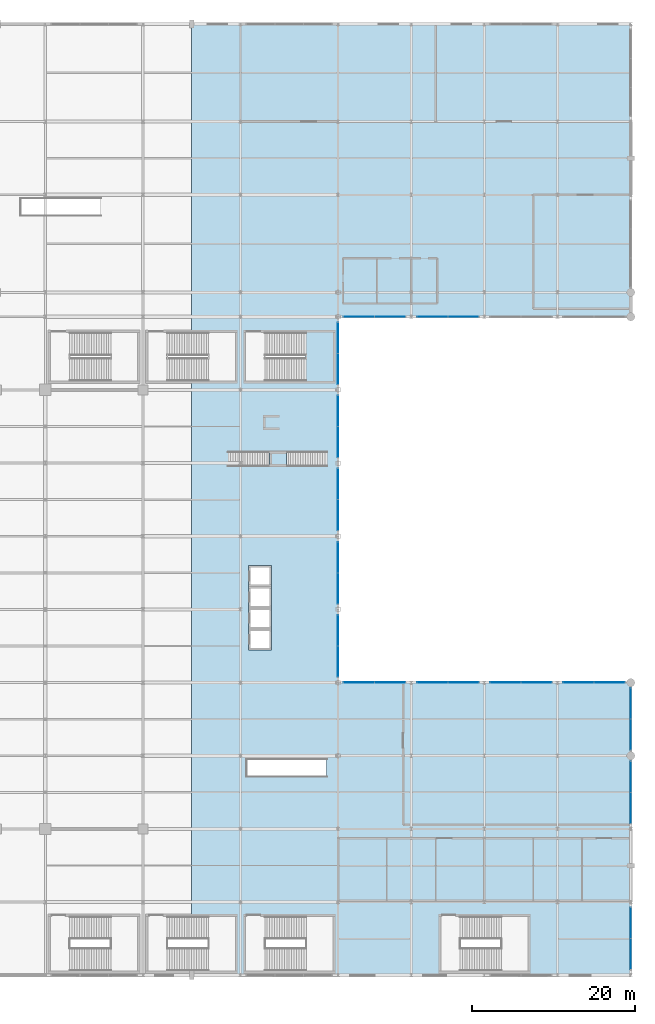
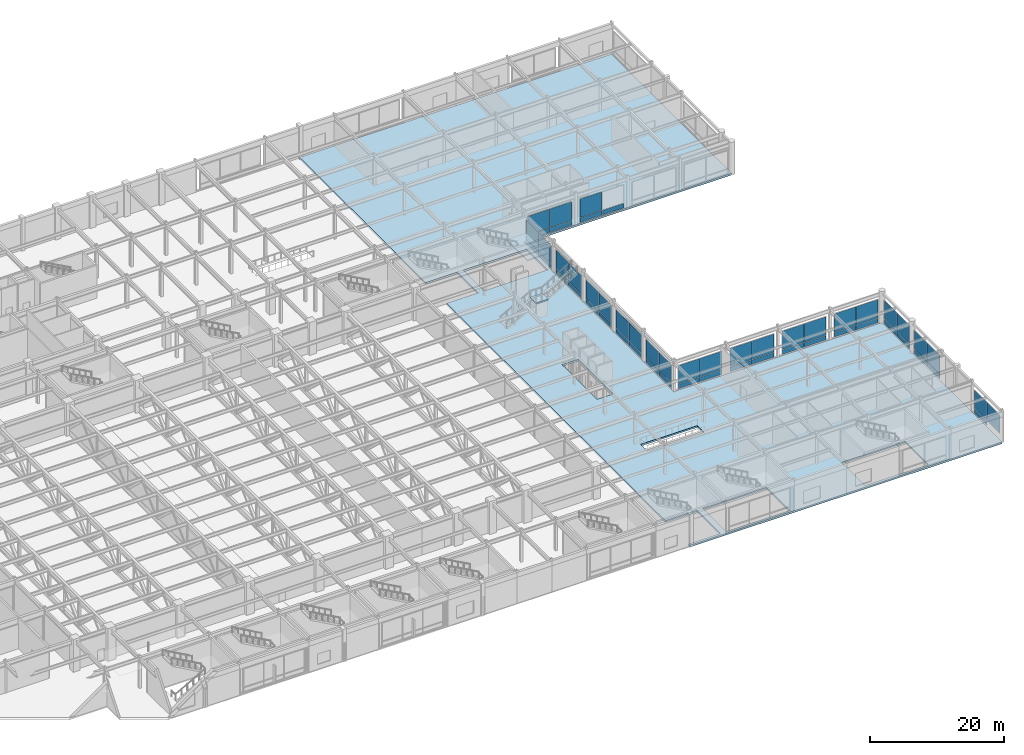
# One storey, part 86 of 108: 54 plates, 3 slabs, 16 elements without a shape of their own.
"""IFC4 building model written with IfcOpenShell, lengths in metres."""

from ifc_helpers import new_model, si_unit, direction, frame, origin, origin_2d, place, context, subcontext, project, spatial, polyline, rectangle, outline, extrude, material, layer, layer_set, type_object, element, aggregate, save


model = new_model("IFC4")

# Units and contexts
model_context = context("Model", 3, precision=1e-05, world=origin(), true_north=direction((0.0, 1.0)))
body_context = subcontext(model_context, "Body", "Model", "MODEL_VIEW")
ifc_project = project(units=[si_unit("LENGTHUNIT", "METRE"), si_unit("AREAUNIT", "SQUARE_METRE"), si_unit("VOLUMEUNIT", "CUBIC_METRE"), si_unit("PLANEANGLEUNIT", "RADIAN"), si_unit("MASSUNIT", "GRAM", prefix="KILO")], contexts=[model_context])

# Site, building, storey
site_placement = place(None, origin())
site = spatial("IfcSite", under=ifc_project, at=site_placement, CompositionType="ELEMENT")
building_placement = place(site_placement, origin())
building = spatial("IfcBuilding", under=site, at=building_placement, Name="Kaldorvane Square Convention Centre", CompositionType="ELEMENT")
storey_placement = place(building_placement, frame((0.0, 0.0, 12.0)))
storey = spatial("IfcBuildingStorey", under=building, at=storey_placement, Name="L02", CompositionType="ELEMENT", Elevation=12.0)

# Curtain wall, plates
ifc_material_1 = material(Name="Anodized Aluminum and Low-E Insulated Glazing", Category="aluminium")
curtain_wall_type_1 = type_object("IfcCurtainWallType", Name="CW-UNI-P60-09", PredefinedType="USERDEFINED", material=ifc_material_1)
curtain_wall_1_placement = place(storey_placement, origin())
curtain_wall_1 = element("IfcCurtainWall", 1, at=curtain_wall_1_placement, inside=storey, type_object=curtain_wall_type_1, Name="Curtain Wall CW-02 (L02)", ObjectType="UNITISED GLAZING", PredefinedType="USERDEFINED")
ifc_layer_1 = layer(ifc_material_1, 0.029998779296875)
ifc_layer_set_1 = layer_set([ifc_layer_1], Name="Anodized Aluminum and Low-E Insulated Glazing")
plate_type_1 = type_object("IfcPlateType", Name="CW-PNL-05", PredefinedType="CURTAIN_PANEL", material=ifc_layer_set_1)
plate_1_placement = place(storey_placement, frame((174.0, 2.59124755859375, 1.079986572265625), z_axis=(0.0, 0.0, 1.0), x_axis=(0.0, 1.0, 0.0)))
plate_1 = element("IfcPlate", 2, at=plate_1_placement, type_object=plate_type_1, Name="CW-02 panel 1.2", PredefinedType="CURTAIN_PANEL", context=body_context, shape_type="SweptSolid", body=[
    extrude(rectangle(XDim=3.75250244140625, YDim=0.029998779296875, at=origin_2d()), origin(), (0.0, 0.0, 1.0), 3.3899993896484375),
])
plate_2_placement = place(storey_placement, frame((174.0, 6.40875244140625, 0.2100067138671875), z_axis=(0.0, 0.0, 1.0), x_axis=(0.0, 1.0, 0.0)))
plate_2 = element("IfcPlate", 3, at=plate_2_placement, type_object=plate_type_1, Name="CW-02 panel 2.1", PredefinedType="CURTAIN_PANEL", context=body_context, shape_type="SweptSolid", body=[
    extrude(rectangle(XDim=3.75250244140625, YDim=0.029998779296875, at=origin_2d()), origin(), (0.0, 0.0, 1.0), 0.80999755859375),
])
plate_3_placement = place(storey_placement, frame((174.0, 6.40875244140625, 1.079986572265625), z_axis=(0.0, 0.0, 1.0), x_axis=(0.0, 1.0, 0.0)))
plate_3 = element("IfcPlate", 4, at=plate_3_placement, type_object=plate_type_1, Name="CW-02 panel 2.2", PredefinedType="CURTAIN_PANEL", context=body_context, shape_type="SweptSolid", body=[
    extrude(rectangle(XDim=3.75250244140625, YDim=0.029998779296875, at=origin_2d()), origin(), (0.0, 0.0, 1.0), 3.3899993896484375),
])
aggregate(curtain_wall_1, [plate_1, plate_2, plate_3])

curtain_wall_2_placement = place(storey_placement, origin())
curtain_wall_2 = element("IfcCurtainWall", 5, at=curtain_wall_2_placement, inside=storey, type_object=curtain_wall_type_1, Name="Curtain Wall CW-02 (L02)", ObjectType="UNITISED GLAZING", PredefinedType="USERDEFINED")
plate_4_placement = place(storey_placement, frame((174.0, 20.59124755859375, 0.2100067138671875), z_axis=(0.0, 0.0, 1.0), x_axis=(0.0, 1.0, 0.0)))
plate_4 = element("IfcPlate", 6, at=plate_4_placement, type_object=plate_type_1, Name="CW-02 panel 1.1", PredefinedType="CURTAIN_PANEL", context=body_context, shape_type="SweptSolid", body=[
    extrude(rectangle(XDim=3.75250244140625, YDim=0.029998779296875, at=origin_2d()), origin(), (0.0, 0.0, 1.0), 0.80999755859375),
])
plate_5_placement = place(storey_placement, frame((174.0, 20.59124755859375, 1.079986572265625), z_axis=(0.0, 0.0, 1.0), x_axis=(0.0, 1.0, 0.0)))
plate_5 = element("IfcPlate", 7, at=plate_5_placement, type_object=plate_type_1, Name="CW-02 panel 1.2", PredefinedType="CURTAIN_PANEL", context=body_context, shape_type="SweptSolid", body=[
    extrude(rectangle(XDim=3.75250244140625, YDim=0.029998779296875, at=origin_2d()), origin(), (0.0, 0.0, 1.0), 3.3899993896484375),
])
plate_6_placement = place(storey_placement, frame((174.0, 24.40875244140625, 0.2100067138671875), z_axis=(0.0, 0.0, 1.0), x_axis=(0.0, 1.0, 0.0)))
plate_6 = element("IfcPlate", 8, at=plate_6_placement, type_object=plate_type_1, Name="CW-02 panel 2.1", PredefinedType="CURTAIN_PANEL", context=body_context, shape_type="SweptSolid", body=[
    extrude(rectangle(XDim=3.75250244140625, YDim=0.029998779296875, at=origin_2d()), origin(), (0.0, 0.0, 1.0), 0.80999755859375),
])
plate_7_placement = place(storey_placement, frame((174.0, 24.40875244140625, 1.079986572265625), z_axis=(0.0, 0.0, 1.0), x_axis=(0.0, 1.0, 0.0)))
plate_7 = element("IfcPlate", 9, at=plate_7_placement, type_object=plate_type_1, Name="CW-02 panel 2.2", PredefinedType="CURTAIN_PANEL", context=body_context, shape_type="SweptSolid", body=[
    extrude(rectangle(XDim=3.75250244140625, YDim=0.029998779296875, at=origin_2d()), origin(), (0.0, 0.0, 1.0), 3.3899993896484375),
])
aggregate(curtain_wall_2, [plate_4, plate_5, plate_6, plate_7])

curtain_wall_3_placement = place(storey_placement, origin())
curtain_wall_3 = element("IfcCurtainWall", 10, at=curtain_wall_3_placement, inside=storey, type_object=curtain_wall_type_1, Name="Curtain Wall CW-02 (L02)", ObjectType="UNITISED GLAZING", PredefinedType="USERDEFINED")
plate_8_placement = place(storey_placement, frame((174.0, 29.59124755859375, 0.2100067138671875), z_axis=(0.0, 0.0, 1.0), x_axis=(0.0, 1.0, 0.0)))
plate_8 = element("IfcPlate", 11, at=plate_8_placement, type_object=plate_type_1, Name="CW-02 panel 1.1", PredefinedType="CURTAIN_PANEL", context=body_context, shape_type="SweptSolid", body=[
    extrude(rectangle(XDim=3.75250244140625, YDim=0.029998779296875, at=origin_2d()), origin(), (0.0, 0.0, 1.0), 0.80999755859375),
])
plate_9_placement = place(storey_placement, frame((174.0, 29.59124755859375, 1.079986572265625), z_axis=(0.0, 0.0, 1.0), x_axis=(0.0, 1.0, 0.0)))
plate_9 = element("IfcPlate", 12, at=plate_9_placement, type_object=plate_type_1, Name="CW-02 panel 1.2", PredefinedType="CURTAIN_PANEL", context=body_context, shape_type="SweptSolid", body=[
    extrude(rectangle(XDim=3.75250244140625, YDim=0.029998779296875, at=origin_2d()), origin(), (0.0, 0.0, 1.0), 3.3899993896484375),
])
plate_10_placement = place(storey_placement, frame((174.0, 33.40875244140625, 0.2100067138671875), z_axis=(0.0, 0.0, 1.0), x_axis=(0.0, 1.0, 0.0)))
plate_10 = element("IfcPlate", 13, at=plate_10_placement, type_object=plate_type_1, Name="CW-02 panel 2.1", PredefinedType="CURTAIN_PANEL", context=body_context, shape_type="SweptSolid", body=[
    extrude(rectangle(XDim=3.75250244140625, YDim=0.029998779296875, at=origin_2d()), origin(), (0.0, 0.0, 1.0), 0.80999755859375),
])
plate_11_placement = place(storey_placement, frame((174.0, 33.40875244140625, 1.079986572265625), z_axis=(0.0, 0.0, 1.0), x_axis=(0.0, 1.0, 0.0)))
plate_11 = element("IfcPlate", 14, at=plate_11_placement, type_object=plate_type_1, Name="CW-02 panel 2.2", PredefinedType="CURTAIN_PANEL", context=body_context, shape_type="SweptSolid", body=[
    extrude(rectangle(XDim=3.75250244140625, YDim=0.029998779296875, at=origin_2d()), origin(), (0.0, 0.0, 1.0), 3.3899993896484375),
])
aggregate(curtain_wall_3, [plate_8, plate_9, plate_10, plate_11])

curtain_wall_type_2 = type_object("IfcCurtainWallType", Name="CW-PTS-FC-60", PredefinedType="USERDEFINED", material=ifc_material_1)
curtain_wall_4_placement = place(storey_placement, origin())
curtain_wall_4 = element("IfcCurtainWall", 15, at=curtain_wall_4_placement, inside=storey, type_object=curtain_wall_type_2, Name="Curtain Wall CW-07 (L02)", ObjectType="POINT SUPPORTED GLAZING", PredefinedType="USERDEFINED")
ifc_layer_2 = layer(ifc_material_1, 0.0399932861328125)
ifc_layer_set_2 = layer_set([ifc_layer_2], Name="Anodized Aluminum and Low-E Insulated Glazing")
plate_type_2 = type_object("IfcPlateType", Name="CW-PNL-07", PredefinedType="CURTAIN_PANEL", material=ifc_layer_set_2)
plate_12_placement = place(storey_placement, frame((144.40625, 36.0, 0.214996337890625), z_axis=(0.0, 0.0, 1.0), x_axis=(-1.0, 0.0, 0.0)))
plate_12 = element("IfcPlate", 16, at=plate_12_placement, type_object=plate_type_2, Name="CW-07 panel 1.1", PredefinedType="CURTAIN_PANEL", context=body_context, shape_type="SweptSolid", body=[
    extrude(rectangle(XDim=3.7375030517578125, YDim=0.0399932861328125, at=origin_2d()), origin(), (0.0, 0.0, 1.0), 0.8025054931640625),
])
plate_13_placement = place(storey_placement, frame((144.40625, 36.0, 1.082489013671875), z_axis=(0.0, 0.0, 1.0), x_axis=(-1.0, 0.0, 0.0)))
plate_13 = element("IfcPlate", 17, at=plate_13_placement, type_object=plate_type_2, Name="CW-07 panel 1.2", PredefinedType="CURTAIN_PANEL", context=body_context, shape_type="SweptSolid", body=[
    extrude(rectangle(XDim=3.7375030517578125, YDim=0.0399932861328125, at=origin_2d()), origin(), (0.0, 0.0, 1.0), 3.38250732421875),
])
plate_14_placement = place(storey_placement, frame((140.59375, 36.0, 0.214996337890625), z_axis=(0.0, 0.0, 1.0), x_axis=(-1.0, 0.0, 0.0)))
plate_14 = element("IfcPlate", 18, at=plate_14_placement, type_object=plate_type_2, Name="CW-07 panel 2.1", PredefinedType="CURTAIN_PANEL", context=body_context, shape_type="SweptSolid", body=[
    extrude(rectangle(XDim=3.7375030517578125, YDim=0.0399932861328125, at=origin_2d()), origin(), (0.0, 0.0, 1.0), 0.8025054931640625),
])
plate_15_placement = place(storey_placement, frame((140.59375, 36.0, 1.082489013671875), z_axis=(0.0, 0.0, 1.0), x_axis=(-1.0, 0.0, 0.0)))
plate_15 = element("IfcPlate", 19, at=plate_15_placement, type_object=plate_type_2, Name="CW-07 panel 2.2", PredefinedType="CURTAIN_PANEL", context=body_context, shape_type="SweptSolid", body=[
    extrude(rectangle(XDim=3.7375030517578125, YDim=0.0399932861328125, at=origin_2d()), origin(), (0.0, 0.0, 1.0), 3.38250732421875),
])
aggregate(curtain_wall_4, [plate_12, plate_13, plate_14, plate_15])

curtain_wall_5_placement = place(storey_placement, origin())
curtain_wall_5 = element("IfcCurtainWall", 20, at=curtain_wall_5_placement, inside=storey, type_object=curtain_wall_type_2, Name="Curtain Wall CW-07 (L02)", ObjectType="POINT SUPPORTED GLAZING", PredefinedType="USERDEFINED")
plate_16_placement = place(storey_placement, frame((153.40625, 36.0, 0.214996337890625), z_axis=(0.0, 0.0, 1.0), x_axis=(-1.0, 0.0, 0.0)))
plate_16 = element("IfcPlate", 21, at=plate_16_placement, type_object=plate_type_2, Name="CW-07 panel 1.1", PredefinedType="CURTAIN_PANEL", context=body_context, shape_type="SweptSolid", body=[
    extrude(rectangle(XDim=3.7375030517578125, YDim=0.0399932861328125, at=origin_2d()), origin(), (0.0, 0.0, 1.0), 0.8025054931640625),
])
plate_17_placement = place(storey_placement, frame((153.40625, 36.0, 1.082489013671875), z_axis=(0.0, 0.0, 1.0), x_axis=(-1.0, 0.0, 0.0)))
plate_17 = element("IfcPlate", 22, at=plate_17_placement, type_object=plate_type_2, Name="CW-07 panel 1.2", PredefinedType="CURTAIN_PANEL", context=body_context, shape_type="SweptSolid", body=[
    extrude(rectangle(XDim=3.7375030517578125, YDim=0.0399932861328125, at=origin_2d()), origin(), (0.0, 0.0, 1.0), 3.38250732421875),
])
plate_18_placement = place(storey_placement, frame((149.59375, 36.0, 0.214996337890625), z_axis=(0.0, 0.0, 1.0), x_axis=(-1.0, 0.0, 0.0)))
plate_18 = element("IfcPlate", 23, at=plate_18_placement, type_object=plate_type_2, Name="CW-07 panel 2.1", PredefinedType="CURTAIN_PANEL", context=body_context, shape_type="SweptSolid", body=[
    extrude(rectangle(XDim=3.7375030517578125, YDim=0.0399932861328125, at=origin_2d()), origin(), (0.0, 0.0, 1.0), 0.8025054931640625),
])
plate_19_placement = place(storey_placement, frame((149.59375, 36.0, 1.082489013671875), z_axis=(0.0, 0.0, 1.0), x_axis=(-1.0, 0.0, 0.0)))
plate_19 = element("IfcPlate", 24, at=plate_19_placement, type_object=plate_type_2, Name="CW-07 panel 2.2", PredefinedType="CURTAIN_PANEL", context=body_context, shape_type="SweptSolid", body=[
    extrude(rectangle(XDim=3.7375030517578125, YDim=0.0399932861328125, at=origin_2d()), origin(), (0.0, 0.0, 1.0), 3.38250732421875),
])
aggregate(curtain_wall_5, [plate_16, plate_17, plate_18, plate_19])

curtain_wall_6_placement = place(storey_placement, origin())
curtain_wall_6 = element("IfcCurtainWall", 25, at=curtain_wall_6_placement, inside=storey, type_object=curtain_wall_type_2, Name="Curtain Wall CW-07 (L02)", ObjectType="POINT SUPPORTED GLAZING", PredefinedType="USERDEFINED")
plate_20_placement = place(storey_placement, frame((162.40625, 36.0, 0.214996337890625), z_axis=(0.0, 0.0, 1.0), x_axis=(-1.0, 0.0, 0.0)))
plate_20 = element("IfcPlate", 26, at=plate_20_placement, type_object=plate_type_2, Name="CW-07 panel 1.1", PredefinedType="CURTAIN_PANEL", context=body_context, shape_type="SweptSolid", body=[
    extrude(rectangle(XDim=3.7375030517578125, YDim=0.0399932861328125, at=origin_2d()), origin(), (0.0, 0.0, 1.0), 0.8025054931640625),
])
plate_21_placement = place(storey_placement, frame((162.40625, 36.0, 1.082489013671875), z_axis=(0.0, 0.0, 1.0), x_axis=(-1.0, 0.0, 0.0)))
plate_21 = element("IfcPlate", 27, at=plate_21_placement, type_object=plate_type_2, Name="CW-07 panel 1.2", PredefinedType="CURTAIN_PANEL", context=body_context, shape_type="SweptSolid", body=[
    extrude(rectangle(XDim=3.7375030517578125, YDim=0.0399932861328125, at=origin_2d()), origin(), (0.0, 0.0, 1.0), 3.38250732421875),
])
plate_22_placement = place(storey_placement, frame((158.59375, 36.0, 0.214996337890625), z_axis=(0.0, 0.0, 1.0), x_axis=(-1.0, 0.0, 0.0)))
plate_22 = element("IfcPlate", 28, at=plate_22_placement, type_object=plate_type_2, Name="CW-07 panel 2.1", PredefinedType="CURTAIN_PANEL", context=body_context, shape_type="SweptSolid", body=[
    extrude(rectangle(XDim=3.7375030517578125, YDim=0.0399932861328125, at=origin_2d()), origin(), (0.0, 0.0, 1.0), 0.8025054931640625),
])
plate_23_placement = place(storey_placement, frame((158.59375, 36.0, 1.082489013671875), z_axis=(0.0, 0.0, 1.0), x_axis=(-1.0, 0.0, 0.0)))
plate_23 = element("IfcPlate", 29, at=plate_23_placement, type_object=plate_type_2, Name="CW-07 panel 2.2", PredefinedType="CURTAIN_PANEL", context=body_context, shape_type="SweptSolid", body=[
    extrude(rectangle(XDim=3.7375030517578125, YDim=0.0399932861328125, at=origin_2d()), origin(), (0.0, 0.0, 1.0), 3.38250732421875),
])
aggregate(curtain_wall_6, [plate_20, plate_21, plate_22, plate_23])

curtain_wall_7_placement = place(storey_placement, origin())
curtain_wall_7 = element("IfcCurtainWall", 30, at=curtain_wall_7_placement, inside=storey, type_object=curtain_wall_type_2, Name="Curtain Wall CW-07 (L02)", ObjectType="POINT SUPPORTED GLAZING", PredefinedType="USERDEFINED")
plate_24_placement = place(storey_placement, frame((171.40625, 36.0, 0.214996337890625), z_axis=(0.0, 0.0, 1.0), x_axis=(-1.0, 0.0, 0.0)))
plate_24 = element("IfcPlate", 31, at=plate_24_placement, type_object=plate_type_2, Name="CW-07 panel 1.1", PredefinedType="CURTAIN_PANEL", context=body_context, shape_type="SweptSolid", body=[
    extrude(rectangle(XDim=3.7375030517578125, YDim=0.0399932861328125, at=origin_2d()), origin(), (0.0, 0.0, 1.0), 0.8025054931640625),
])
plate_25_placement = place(storey_placement, frame((171.40625, 36.0, 1.082489013671875), z_axis=(0.0, 0.0, 1.0), x_axis=(-1.0, 0.0, 0.0)))
plate_25 = element("IfcPlate", 32, at=plate_25_placement, type_object=plate_type_2, Name="CW-07 panel 1.2", PredefinedType="CURTAIN_PANEL", context=body_context, shape_type="SweptSolid", body=[
    extrude(rectangle(XDim=3.7375030517578125, YDim=0.0399932861328125, at=origin_2d()), origin(), (0.0, 0.0, 1.0), 3.38250732421875),
])
plate_26_placement = place(storey_placement, frame((167.59375, 36.0, 0.214996337890625), z_axis=(0.0, 0.0, 1.0), x_axis=(-1.0, 0.0, 0.0)))
plate_26 = element("IfcPlate", 33, at=plate_26_placement, type_object=plate_type_2, Name="CW-07 panel 2.1", PredefinedType="CURTAIN_PANEL", context=body_context, shape_type="SweptSolid", body=[
    extrude(rectangle(XDim=3.7375030517578125, YDim=0.0399932861328125, at=origin_2d()), origin(), (0.0, 0.0, 1.0), 0.8025054931640625),
])
plate_27_placement = place(storey_placement, frame((167.59375, 36.0, 1.082489013671875), z_axis=(0.0, 0.0, 1.0), x_axis=(-1.0, 0.0, 0.0)))
plate_27 = element("IfcPlate", 34, at=plate_27_placement, type_object=plate_type_2, Name="CW-07 panel 2.2", PredefinedType="CURTAIN_PANEL", context=body_context, shape_type="SweptSolid", body=[
    extrude(rectangle(XDim=3.7375030517578125, YDim=0.0399932861328125, at=origin_2d()), origin(), (0.0, 0.0, 1.0), 3.38250732421875),
])
aggregate(curtain_wall_7, [plate_24, plate_25, plate_26, plate_27])

curtain_wall_8_placement = place(storey_placement, origin())
curtain_wall_8 = element("IfcCurtainWall", 35, at=curtain_wall_8_placement, inside=storey, type_object=curtain_wall_type_2, Name="Curtain Wall CW-07 (L02)", ObjectType="POINT SUPPORTED GLAZING", PredefinedType="USERDEFINED")
plate_28_placement = place(storey_placement, frame((138.0, 38.59375, 0.214996337890625), z_axis=(0.0, 0.0, 1.0), x_axis=(0.0, 1.0, 0.0)))
plate_28 = element("IfcPlate", 36, at=plate_28_placement, type_object=plate_type_2, Name="CW-07 panel 1.1", PredefinedType="CURTAIN_PANEL", context=body_context, shape_type="SweptSolid", body=[
    extrude(rectangle(XDim=3.7375030517578125, YDim=0.0399932861328125, at=origin_2d()), origin(), (0.0, 0.0, 1.0), 0.8025054931640625),
])
plate_29_placement = place(storey_placement, frame((138.0, 38.59375, 1.082489013671875), z_axis=(0.0, 0.0, 1.0), x_axis=(0.0, 1.0, 0.0)))
plate_29 = element("IfcPlate", 37, at=plate_29_placement, type_object=plate_type_2, Name="CW-07 panel 1.2", PredefinedType="CURTAIN_PANEL", context=body_context, shape_type="SweptSolid", body=[
    extrude(rectangle(XDim=3.7375030517578125, YDim=0.0399932861328125, at=origin_2d()), origin(), (0.0, 0.0, 1.0), 3.38250732421875),
])
plate_30_placement = place(storey_placement, frame((138.0, 42.40625, 0.214996337890625), z_axis=(0.0, 0.0, 1.0), x_axis=(0.0, 1.0, 0.0)))
plate_30 = element("IfcPlate", 38, at=plate_30_placement, type_object=plate_type_2, Name="CW-07 panel 2.1", PredefinedType="CURTAIN_PANEL", context=body_context, shape_type="SweptSolid", body=[
    extrude(rectangle(XDim=3.7375030517578125, YDim=0.0399932861328125, at=origin_2d()), origin(), (0.0, 0.0, 1.0), 0.8025054931640625),
])
plate_31_placement = place(storey_placement, frame((138.0, 42.40625, 1.082489013671875), z_axis=(0.0, 0.0, 1.0), x_axis=(0.0, 1.0, 0.0)))
plate_31 = element("IfcPlate", 39, at=plate_31_placement, type_object=plate_type_2, Name="CW-07 panel 2.2", PredefinedType="CURTAIN_PANEL", context=body_context, shape_type="SweptSolid", body=[
    extrude(rectangle(XDim=3.7375030517578125, YDim=0.0399932861328125, at=origin_2d()), origin(), (0.0, 0.0, 1.0), 3.38250732421875),
])
aggregate(curtain_wall_8, [plate_28, plate_29, plate_30, plate_31])

curtain_wall_9_placement = place(storey_placement, origin())
curtain_wall_9 = element("IfcCurtainWall", 40, at=curtain_wall_9_placement, inside=storey, type_object=curtain_wall_type_2, Name="Curtain Wall CW-07 (L02)", ObjectType="POINT SUPPORTED GLAZING", PredefinedType="USERDEFINED")
plate_32_placement = place(storey_placement, frame((138.0, 47.59375, 0.214996337890625), z_axis=(0.0, 0.0, 1.0), x_axis=(0.0, 1.0, 0.0)))
plate_32 = element("IfcPlate", 41, at=plate_32_placement, type_object=plate_type_2, Name="CW-07 panel 1.1", PredefinedType="CURTAIN_PANEL", context=body_context, shape_type="SweptSolid", body=[
    extrude(rectangle(XDim=3.7375030517578125, YDim=0.0399932861328125, at=origin_2d()), origin(), (0.0, 0.0, 1.0), 0.8025054931640625),
])
plate_33_placement = place(storey_placement, frame((138.0, 47.59375, 1.082489013671875), z_axis=(0.0, 0.0, 1.0), x_axis=(0.0, 1.0, 0.0)))
plate_33 = element("IfcPlate", 42, at=plate_33_placement, type_object=plate_type_2, Name="CW-07 panel 1.2", PredefinedType="CURTAIN_PANEL", context=body_context, shape_type="SweptSolid", body=[
    extrude(rectangle(XDim=3.7375030517578125, YDim=0.0399932861328125, at=origin_2d()), origin(), (0.0, 0.0, 1.0), 3.38250732421875),
])
plate_34_placement = place(storey_placement, frame((138.0, 51.40625, 0.214996337890625), z_axis=(0.0, 0.0, 1.0), x_axis=(0.0, 1.0, 0.0)))
plate_34 = element("IfcPlate", 43, at=plate_34_placement, type_object=plate_type_2, Name="CW-07 panel 2.1", PredefinedType="CURTAIN_PANEL", context=body_context, shape_type="SweptSolid", body=[
    extrude(rectangle(XDim=3.7375030517578125, YDim=0.0399932861328125, at=origin_2d()), origin(), (0.0, 0.0, 1.0), 0.8025054931640625),
])
plate_35_placement = place(storey_placement, frame((138.0, 51.40625, 1.082489013671875), z_axis=(0.0, 0.0, 1.0), x_axis=(0.0, 1.0, 0.0)))
plate_35 = element("IfcPlate", 44, at=plate_35_placement, type_object=plate_type_2, Name="CW-07 panel 2.2", PredefinedType="CURTAIN_PANEL", context=body_context, shape_type="SweptSolid", body=[
    extrude(rectangle(XDim=3.7375030517578125, YDim=0.0399932861328125, at=origin_2d()), origin(), (0.0, 0.0, 1.0), 3.38250732421875),
])
aggregate(curtain_wall_9, [plate_32, plate_33, plate_34, plate_35])

curtain_wall_10_placement = place(storey_placement, origin())
curtain_wall_10 = element("IfcCurtainWall", 45, at=curtain_wall_10_placement, inside=storey, type_object=curtain_wall_type_2, Name="Curtain Wall CW-07 (L02)", ObjectType="POINT SUPPORTED GLAZING", PredefinedType="USERDEFINED")
plate_36_placement = place(storey_placement, frame((138.0, 56.59375, 0.214996337890625), z_axis=(0.0, 0.0, 1.0), x_axis=(0.0, 1.0, 0.0)))
plate_36 = element("IfcPlate", 46, at=plate_36_placement, type_object=plate_type_2, Name="CW-07 panel 1.1", PredefinedType="CURTAIN_PANEL", context=body_context, shape_type="SweptSolid", body=[
    extrude(rectangle(XDim=3.7375030517578125, YDim=0.0399932861328125, at=origin_2d()), origin(), (0.0, 0.0, 1.0), 0.8025054931640625),
])
plate_37_placement = place(storey_placement, frame((138.0, 56.59375, 1.082489013671875), z_axis=(0.0, 0.0, 1.0), x_axis=(0.0, 1.0, 0.0)))
plate_37 = element("IfcPlate", 47, at=plate_37_placement, type_object=plate_type_2, Name="CW-07 panel 1.2", PredefinedType="CURTAIN_PANEL", context=body_context, shape_type="SweptSolid", body=[
    extrude(rectangle(XDim=3.7375030517578125, YDim=0.0399932861328125, at=origin_2d()), origin(), (0.0, 0.0, 1.0), 3.38250732421875),
])
plate_38_placement = place(storey_placement, frame((138.0, 60.40625, 0.214996337890625), z_axis=(0.0, 0.0, 1.0), x_axis=(0.0, 1.0, 0.0)))
plate_38 = element("IfcPlate", 48, at=plate_38_placement, type_object=plate_type_2, Name="CW-07 panel 2.1", PredefinedType="CURTAIN_PANEL", context=body_context, shape_type="SweptSolid", body=[
    extrude(rectangle(XDim=3.7375030517578125, YDim=0.0399932861328125, at=origin_2d()), origin(), (0.0, 0.0, 1.0), 0.8025054931640625),
])
plate_39_placement = place(storey_placement, frame((138.0, 60.40625, 1.082489013671875), z_axis=(0.0, 0.0, 1.0), x_axis=(0.0, 1.0, 0.0)))
plate_39 = element("IfcPlate", 49, at=plate_39_placement, type_object=plate_type_2, Name="CW-07 panel 2.2", PredefinedType="CURTAIN_PANEL", context=body_context, shape_type="SweptSolid", body=[
    extrude(rectangle(XDim=3.7375030517578125, YDim=0.0399932861328125, at=origin_2d()), origin(), (0.0, 0.0, 1.0), 3.38250732421875),
])
aggregate(curtain_wall_10, [plate_36, plate_37, plate_38, plate_39])

curtain_wall_11_placement = place(storey_placement, origin())
curtain_wall_11 = element("IfcCurtainWall", 50, at=curtain_wall_11_placement, inside=storey, type_object=curtain_wall_type_2, Name="Curtain Wall CW-07 (L02)", ObjectType="POINT SUPPORTED GLAZING", PredefinedType="USERDEFINED")
plate_40_placement = place(storey_placement, frame((138.0, 65.59375, 0.214996337890625), z_axis=(0.0, 0.0, 1.0), x_axis=(0.0, 1.0, 0.0)))
plate_40 = element("IfcPlate", 51, at=plate_40_placement, type_object=plate_type_2, Name="CW-07 panel 1.1", PredefinedType="CURTAIN_PANEL", context=body_context, shape_type="SweptSolid", body=[
    extrude(rectangle(XDim=3.7375030517578125, YDim=0.0399932861328125, at=origin_2d()), origin(), (0.0, 0.0, 1.0), 0.8025054931640625),
])
plate_41_placement = place(storey_placement, frame((138.0, 65.59375, 1.082489013671875), z_axis=(0.0, 0.0, 1.0), x_axis=(0.0, 1.0, 0.0)))
plate_41 = element("IfcPlate", 52, at=plate_41_placement, type_object=plate_type_2, Name="CW-07 panel 1.2", PredefinedType="CURTAIN_PANEL", context=body_context, shape_type="SweptSolid", body=[
    extrude(rectangle(XDim=3.7375030517578125, YDim=0.0399932861328125, at=origin_2d()), origin(), (0.0, 0.0, 1.0), 3.38250732421875),
])
plate_42_placement = place(storey_placement, frame((138.0, 69.40625, 0.214996337890625), z_axis=(0.0, 0.0, 1.0), x_axis=(0.0, 1.0, 0.0)))
plate_42 = element("IfcPlate", 53, at=plate_42_placement, type_object=plate_type_2, Name="CW-07 panel 2.1", PredefinedType="CURTAIN_PANEL", context=body_context, shape_type="SweptSolid", body=[
    extrude(rectangle(XDim=3.7375030517578125, YDim=0.0399932861328125, at=origin_2d()), origin(), (0.0, 0.0, 1.0), 0.8025054931640625),
])
plate_43_placement = place(storey_placement, frame((138.0, 69.40625, 1.082489013671875), z_axis=(0.0, 0.0, 1.0), x_axis=(0.0, 1.0, 0.0)))
plate_43 = element("IfcPlate", 54, at=plate_43_placement, type_object=plate_type_2, Name="CW-07 panel 2.2", PredefinedType="CURTAIN_PANEL", context=body_context, shape_type="SweptSolid", body=[
    extrude(rectangle(XDim=3.7375030517578125, YDim=0.0399932861328125, at=origin_2d()), origin(), (0.0, 0.0, 1.0), 3.38250732421875),
])
aggregate(curtain_wall_11, [plate_40, plate_41, plate_42, plate_43])

curtain_wall_12_placement = place(storey_placement, origin())
curtain_wall_12 = element("IfcCurtainWall", 55, at=curtain_wall_12_placement, inside=storey, type_object=curtain_wall_type_2, Name="Curtain Wall CW-07 (L02)", ObjectType="POINT SUPPORTED GLAZING", PredefinedType="USERDEFINED")
plate_44_placement = place(storey_placement, frame((138.0, 74.59375, 0.214996337890625), z_axis=(0.0, 0.0, 1.0), x_axis=(0.0, 1.0, 0.0)))
plate_44 = element("IfcPlate", 56, at=plate_44_placement, type_object=plate_type_2, Name="CW-07 panel 1.1", PredefinedType="CURTAIN_PANEL", context=body_context, shape_type="SweptSolid", body=[
    extrude(rectangle(XDim=3.7375030517578125, YDim=0.0399932861328125, at=origin_2d()), origin(), (0.0, 0.0, 1.0), 0.8025054931640625),
])
plate_45_placement = place(storey_placement, frame((138.0, 74.59375, 1.082489013671875), z_axis=(0.0, 0.0, 1.0), x_axis=(0.0, 1.0, 0.0)))
plate_45 = element("IfcPlate", 57, at=plate_45_placement, type_object=plate_type_2, Name="CW-07 panel 1.2", PredefinedType="CURTAIN_PANEL", context=body_context, shape_type="SweptSolid", body=[
    extrude(rectangle(XDim=3.7375030517578125, YDim=0.0399932861328125, at=origin_2d()), origin(), (0.0, 0.0, 1.0), 3.38250732421875),
])
plate_46_placement = place(storey_placement, frame((138.0, 78.40625, 0.214996337890625), z_axis=(0.0, 0.0, 1.0), x_axis=(0.0, 1.0, 0.0)))
plate_46 = element("IfcPlate", 58, at=plate_46_placement, type_object=plate_type_2, Name="CW-07 panel 2.1", PredefinedType="CURTAIN_PANEL", context=body_context, shape_type="SweptSolid", body=[
    extrude(rectangle(XDim=3.7375030517578125, YDim=0.0399932861328125, at=origin_2d()), origin(), (0.0, 0.0, 1.0), 0.8025054931640625),
])
plate_47_placement = place(storey_placement, frame((138.0, 78.40625, 1.082489013671875), z_axis=(0.0, 0.0, 1.0), x_axis=(0.0, 1.0, 0.0)))
plate_47 = element("IfcPlate", 59, at=plate_47_placement, type_object=plate_type_2, Name="CW-07 panel 2.2", PredefinedType="CURTAIN_PANEL", context=body_context, shape_type="SweptSolid", body=[
    extrude(rectangle(XDim=3.7375030517578125, YDim=0.0399932861328125, at=origin_2d()), origin(), (0.0, 0.0, 1.0), 3.38250732421875),
])
aggregate(curtain_wall_12, [plate_44, plate_45, plate_46, plate_47])

curtain_wall_13_placement = place(storey_placement, origin())
curtain_wall_13 = element("IfcCurtainWall", 60, at=curtain_wall_13_placement, inside=storey, type_object=curtain_wall_type_2, Name="Curtain Wall CW-07 (L02)", ObjectType="POINT SUPPORTED GLAZING", PredefinedType="USERDEFINED")
plate_48_placement = place(storey_placement, frame((140.59375, 81.0, 0.214996337890625), z_axis=(0.0, 0.0, 1.0), x_axis=(1.0, 0.0, 0.0)))
plate_48 = element("IfcPlate", 61, at=plate_48_placement, type_object=plate_type_2, Name="CW-07 panel 1.1", PredefinedType="CURTAIN_PANEL", context=body_context, shape_type="SweptSolid", body=[
    extrude(rectangle(XDim=3.7375030517578125, YDim=0.0399932861328125, at=origin_2d()), origin(), (0.0, 0.0, 1.0), 0.8025054931640625),
])
plate_49_placement = place(storey_placement, frame((140.59375, 81.0, 1.082489013671875), z_axis=(0.0, 0.0, 1.0), x_axis=(1.0, 0.0, 0.0)))
plate_49 = element("IfcPlate", 62, at=plate_49_placement, type_object=plate_type_2, Name="CW-07 panel 1.2", PredefinedType="CURTAIN_PANEL", context=body_context, shape_type="SweptSolid", body=[
    extrude(rectangle(XDim=3.7375030517578125, YDim=0.0399932861328125, at=origin_2d()), origin(), (0.0, 0.0, 1.0), 3.38250732421875),
])
plate_50_placement = place(storey_placement, frame((144.40625, 81.0, 0.214996337890625), z_axis=(0.0, 0.0, 1.0), x_axis=(1.0, 0.0, 0.0)))
plate_50 = element("IfcPlate", 63, at=plate_50_placement, type_object=plate_type_2, Name="CW-07 panel 2.1", PredefinedType="CURTAIN_PANEL", context=body_context, shape_type="SweptSolid", body=[
    extrude(rectangle(XDim=3.7375030517578125, YDim=0.0399932861328125, at=origin_2d()), origin(), (0.0, 0.0, 1.0), 0.8025054931640625),
])
plate_51_placement = place(storey_placement, frame((144.40625, 81.0, 1.082489013671875), z_axis=(0.0, 0.0, 1.0), x_axis=(1.0, 0.0, 0.0)))
plate_51 = element("IfcPlate", 64, at=plate_51_placement, type_object=plate_type_2, Name="CW-07 panel 2.2", PredefinedType="CURTAIN_PANEL", context=body_context, shape_type="SweptSolid", body=[
    extrude(rectangle(XDim=3.7375030517578125, YDim=0.0399932861328125, at=origin_2d()), origin(), (0.0, 0.0, 1.0), 3.38250732421875),
])
aggregate(curtain_wall_13, [plate_48, plate_49, plate_50, plate_51])

curtain_wall_14_placement = place(storey_placement, origin())
curtain_wall_14 = element("IfcCurtainWall", 65, at=curtain_wall_14_placement, inside=storey, type_object=curtain_wall_type_2, Name="Curtain Wall CW-07 (L02)", ObjectType="POINT SUPPORTED GLAZING", PredefinedType="USERDEFINED")
plate_52_placement = place(storey_placement, frame((149.59375, 81.0, 0.214996337890625), z_axis=(0.0, 0.0, 1.0), x_axis=(1.0, 0.0, 0.0)))
plate_52 = element("IfcPlate", 66, at=plate_52_placement, type_object=plate_type_2, Name="CW-07 panel 1.1", PredefinedType="CURTAIN_PANEL", context=body_context, shape_type="SweptSolid", body=[
    extrude(rectangle(XDim=3.7375030517578125, YDim=0.0399932861328125, at=origin_2d()), origin(), (0.0, 0.0, 1.0), 0.8025054931640625),
])
plate_53_placement = place(storey_placement, frame((149.59375, 81.0, 1.082489013671875), z_axis=(0.0, 0.0, 1.0), x_axis=(1.0, 0.0, 0.0)))
plate_53 = element("IfcPlate", 67, at=plate_53_placement, type_object=plate_type_2, Name="CW-07 panel 1.2", PredefinedType="CURTAIN_PANEL", context=body_context, shape_type="SweptSolid", body=[
    extrude(rectangle(XDim=3.7375030517578125, YDim=0.0399932861328125, at=origin_2d()), origin(), (0.0, 0.0, 1.0), 3.38250732421875),
])
plate_54_placement = place(storey_placement, frame((153.40625, 81.0, 0.214996337890625), z_axis=(0.0, 0.0, 1.0), x_axis=(1.0, 0.0, 0.0)))
plate_54 = element("IfcPlate", 68, at=plate_54_placement, type_object=plate_type_2, Name="CW-07 panel 2.1", PredefinedType="CURTAIN_PANEL", context=body_context, shape_type="SweptSolid", body=[
    extrude(rectangle(XDim=3.7375030517578125, YDim=0.0399932861328125, at=origin_2d()), origin(), (0.0, 0.0, 1.0), 0.8025054931640625),
])
aggregate(curtain_wall_14, [plate_52, plate_53, plate_54])

# Stair, slab
ifc_material_2 = material(Name="Concrete f'c = 42 MPa (Normalweight)", Category="concrete")
stair_type_1 = type_object("IfcStairType", Name="ST-DL-2800-6000", PredefinedType="HALF_TURN_STAIR", material=ifc_material_2)
stair_1_placement = place(storey_placement, origin())
stair_1 = element("IfcStair", 69, at=stair_1_placement, inside=storey, type_object=stair_type_1, Name="Convention Exit Stair C18 (L02)", PredefinedType="HALF_TURN_STAIR")
ifc_layer_3 = layer(ifc_material_2, 0.2400054931640625)
ifc_layer_set_3 = layer_set([ifc_layer_3], Name="Concrete f'c = 42 MPa (Normalweight)")
slab_type_1 = type_object("IfcSlabType", Name="SL-LAND-240", PredefinedType="LANDING", material=ifc_layer_set_3)
slab_1_placement = place(storey_placement, frame((0.0, 0.0, 2.7599945068359375)))
slab_1 = element("IfcSlab", 70, at=slab_1_placement, type_object=slab_type_1, Name="Convention Exit Stair C18 Half Landing (L02)", PredefinedType="LANDING", context=body_context, shape_type="SweptSolid", body=[
    extrude(outline(polyline([(134.00999450683594, 72.97999572753906), (137.47999572753906, 72.97999572753906), (137.47999572753906, 79.17999267578125), (134.00999450683594, 79.17999267578125), (134.00999450683594, 72.97999572753906)])), origin(), (0.0, 0.0, 1.0), 0.2400054931640625),
])
aggregate(stair_1, [slab_1])

ifc_material_3 = material(Name="Steel ASTM A500 Gr. C", Category="steel")
stair_type_2 = type_object("IfcStairType", Name="ST-STR-1800-6000", PredefinedType="STRAIGHT_RUN_STAIR", material=ifc_material_3)
stair_2_placement = place(storey_placement, origin())
stair_2 = element("IfcStair", 71, at=stair_2_placement, inside=storey, type_object=stair_type_2, Name="East Foyer Grand Stair F3 (L02)", PredefinedType="STRAIGHT_RUN_STAIR")
slab_2_placement = place(storey_placement, frame((0.0, 0.0, 2.7599945068359375)))
slab_2 = element("IfcSlab", 72, at=slab_2_placement, type_object=slab_type_1, Name="East Foyer Grand Stair F3 Mid Landing (L02)", PredefinedType="LANDING", context=body_context, shape_type="SweptSolid", body=[
    extrude(outline(polyline([(129.5, 62.600006103515625), (131.66000366210938, 62.600006103515625), (131.66000366210938, 64.39999389648438), (129.5, 64.39999389648438), (129.5, 62.600006103515625)])), origin(), (0.0, 0.0, 1.0), 0.2400054931640625),
])
aggregate(stair_2, [slab_2])

# Slab
ifc_layer_4 = layer(ifc_material_2, 0.32000732421875)
ifc_layer_set_4 = layer_set([ifc_layer_4], Name="Concrete f'c = 42 MPa (Normalweight)")
slab_type_2 = type_object("IfcSlabType", Name="SL-POD-300", PredefinedType="FLOOR", material=ifc_layer_set_4)
slab_3_placement = place(storey_placement, frame((0.0, 0.0, -0.32000732421875)))
element("IfcSlab", 73, at=slab_3_placement, inside=storey, type_object=slab_type_2, Name="Podium Composite Floor Slab L02-3", PredefinedType="FLOOR", context=body_context, shape_type="SweptSolid", body=[
    extrude(outline(polyline([(174.0, 117.0), (174.0, 81.0), (138.0, 81.0), (138.0, 36.0), (174.0, 36.0), (174.0, 0.0), (120.0, 0.0), (120.0, 0.42999267578125), (125.47999572753906, 0.42999267578125), (125.47999572753906, 7.3800048828125), (120.0, 7.3800048828125), (120.0, 72.97999572753906), (125.47999572753906, 72.97999572753906), (125.47999572753906, 79.17999267578125), (120.0, 79.17999267578125), (120.0, 117.0), (174.0, 117.0)]), holes=[polyline([(161.47999572753906, 0.42999267578125), (161.47999572753906, 7.3800048828125), (150.52000427246094, 7.3800048828125), (150.52000427246094, 0.42999267578125), (161.47999572753906, 0.42999267578125)]), polyline([(137.47999572753906, 0.42999267578125), (137.47999572753906, 7.3800048828125), (126.52000427246094, 7.3800048828125), (126.52000427246094, 0.42999267578125), (137.47999572753906, 0.42999267578125)]), polyline([(126.80000305175781, 24.5), (136.60000610351562, 24.5), (136.60000610351562, 26.5), (126.80000305175781, 26.5), (126.80000305175781, 24.5)]), polyline([(127.0, 40.0), (129.8000030517578, 40.0), (129.8000030517578, 42.600006103515625), (129.8000030517578, 45.19999694824219), (129.8000030517578, 47.80000305175781), (129.8000030517578, 50.399993896484375), (127.0, 50.399993896484375), (127.0, 47.80000305175781), (127.0, 45.19999694824219), (127.0, 42.600006103515625), (127.0, 40.0)]), polyline([(137.47999572753906, 72.97999572753906), (137.47999572753906, 79.17999267578125), (126.52000427246094, 79.17999267578125), (126.52000427246094, 72.97999572753906), (137.47999572753906, 72.97999572753906)])]), origin(), (0.0, 0.0, 1.0), 0.32000732421875),
])

save(model, "model.ifc")
